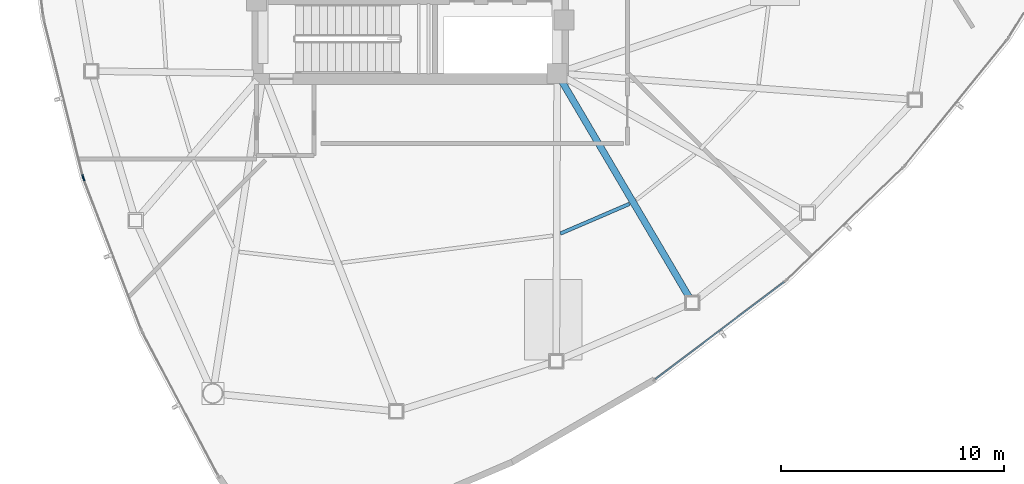
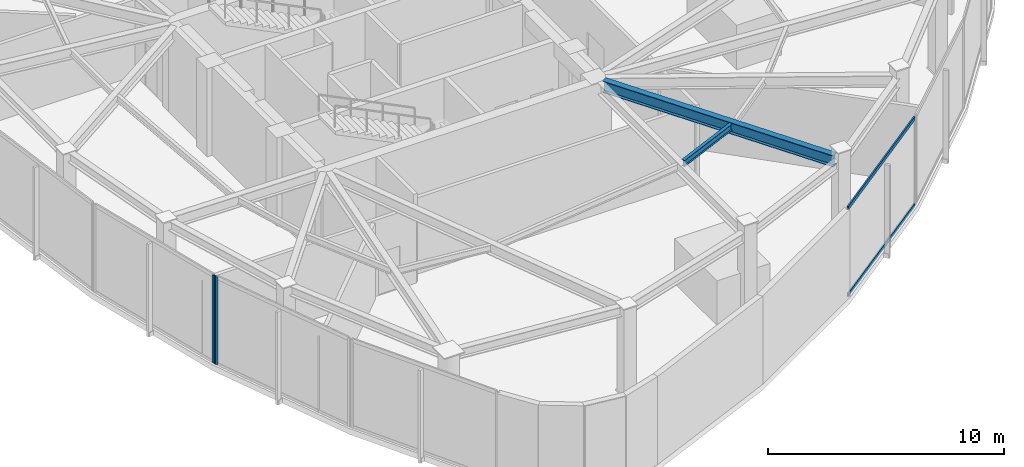
# One storey, part 3 of 17: 4 members, 2 beams, 3 elements without a shape of their own.
"""IFC4 building model written with IfcOpenShell, lengths in metres."""

from ifc_helpers import new_model, si_unit, direction, frame, origin, origin_2d, place, context, subcontext, project, spatial, hollow_rectangle, i_section, extrude, source, transform, mapped, material, layer, layer_set, material_profile, profile_set, type_object, type_shapes, element, aggregate, save


model = new_model("IFC4")

# Units and contexts
model_context = context("Model", 3, precision=1e-05, world=origin(), true_north=direction((0.0, 1.0)))
body_context = subcontext(model_context, "Body", "Model", "MODEL_VIEW")
ifc_project = project(units=[si_unit("LENGTHUNIT", "METRE"), si_unit("AREAUNIT", "SQUARE_METRE"), si_unit("VOLUMEUNIT", "CUBIC_METRE"), si_unit("PLANEANGLEUNIT", "RADIAN"), si_unit("MASSUNIT", "GRAM", prefix="KILO")], contexts=[model_context])

# Site, building, storey
site_placement = place(None, origin())
site = spatial("IfcSite", under=ifc_project, at=site_placement, CompositionType="ELEMENT")
building_placement = place(site_placement, origin())
building = spatial("IfcBuilding", under=site, at=building_placement, Name="Tavelor Broadcast Tower", CompositionType="ELEMENT")
storey_placement = place(building_placement, frame((0.0, 0.0, 204.14990234375)))
storey = spatial("IfcBuildingStorey", under=building, at=storey_placement, Name="L49", CompositionType="ELEMENT", Elevation=204.14990234375)

# Beams
ifc_material_1 = material(Name="Steel S355", Category="steel")
ifc_material_profile_1 = material_profile(ifc_material_1, i_section(OverallWidth=0.159912109375, OverallDepth=0.330078125, WebThickness=0.007568359375, FlangeThickness=0.011474609375, at=origin_2d()), Name="IPE 330")
ifc_profile_set_1 = profile_set([ifc_material_profile_1], Name="Steel S355")
beam_type_1 = type_object("IfcBeamType", Name="Composite Floor Joist T4 IPE 330", PredefinedType="JOIST", material=ifc_profile_set_1)
beam_1_placement = place(storey_placement, frame((56.744384765625, 31.603515625, 4.385009765625), z_axis=(0.918692008618, 0.394974674254, 0.0), x_axis=(-0.394974674254, 0.918692008618, 0.0)))
element("IfcBeam", 1, at=beam_1_placement, inside=storey, type_object=beam_type_1, Name="L49 Secondary Composite Floor Joist 09", PredefinedType="JOIST", context=body_context, shape_type="SweptSolid", body=[
    extrude(i_section(OverallWidth=0.159912109375, OverallDepth=0.330078125, WebThickness=0.007568359375, FlangeThickness=0.011474609375, at=origin_2d()), origin(), (0.0, 0.0, 1.0), 3.37744140625),
])
ifc_material_profile_2 = material_profile(ifc_material_1, i_section(OverallWidth=0.300048828125, OverallDepth=0.590087890625, WebThickness=0.012939453125, FlangeThickness=0.02490234375, at=origin_2d()), Name="HEA 600")
ifc_profile_set_2 = profile_set([ifc_material_profile_2], Name="Steel S355")
beam_type_2 = type_object("IfcBeamType", Name="Radial Floor Girder T4 HEA 600", PredefinedType="BEAM", material=ifc_profile_set_2)
beam_2_placement = place(storey_placement, frame((56.8193359375, 38.427734375, 4.255126953125), z_axis=(0.50778362975, -0.861484640233, 0.0), x_axis=(0.861484640233, 0.50778362975, 0.0)))
element("IfcBeam", 2, at=beam_2_placement, inside=storey, type_object=beam_type_2, Name="L49 Radial Primary Floor Girder 10", PredefinedType="BEAM", context=body_context, shape_type="SweptSolid", body=[
    extrude(i_section(OverallWidth=0.300048828125, OverallDepth=0.590087890625, WebThickness=0.012939453125, FlangeThickness=0.02490234375, at=origin_2d()), origin(), (0.0, 0.0, 1.0), 11.232421875),
])

# Curtain wall, member
ifc_material_2 = material(Name="Architectural Anodized Aluminium", Category="aluminium")
ifc_layer = layer(ifc_material_2, 0.18994140625)
ifc_layer_set = layer_set([ifc_layer], Name="Architectural Anodized Aluminium")
curtain_wall_type = type_object("IfcCurtainWallType", Name="Tower Mid-Zone Acoustic Curtain Wall CW03", PredefinedType="NOTDEFINED", material=ifc_layer_set)
curtain_wall_1_placement = place(storey_placement, origin())
curtain_wall_1 = element("IfcCurtainWall", 3, at=curtain_wall_1_placement, inside=storey, type_object=curtain_wall_type, Name="L49 Curtain Wall CW03 Run 530", PredefinedType="NOTDEFINED")
ifc_material_profile_3 = material_profile(ifc_material_2, hollow_rectangle(XDim=0.068115234375, YDim=0.18994140625, WallThickness=0.02197265625, at=origin_2d()), Name="RHS 68x190x22")
ifc_profile_set_3 = profile_set([ifc_material_profile_3], Name="Architectural Anodized Aluminium")
member_type_1 = type_object("IfcMemberType", Name="CW03 Extruded Aluminium Mullion 68x190", PredefinedType="MULLION", material=ifc_profile_set_3)
shared_shape_1 = source(origin(), body_context, "Body", "SweptSolid", [
    extrude(hollow_rectangle(XDim=0.068115234375, YDim=0.18994140625, WallThickness=0.02197265625, at=origin_2d()), origin(), (0.0, 0.0, 1.0), 4.550048828125),
])
type_shapes(member_type_1, [shared_shape_1])
member_1_placement = place(storey_placement, frame((35.30419921875, 34.1611328125, 0.0), z_axis=(0.0, 0.0, 1.0), x_axis=(0.970397862527, 0.241511880461, 0.0)))
member_1 = element("IfcMember", 4, at=member_1_placement, type_object=member_type_1, Name="CW03 mullion 2", PredefinedType="MULLION", context=body_context, shape_type="MappedRepresentation", body=[
    mapped(shared_shape_1, transform((0.0, 0.0, 0.0), scale=1.0)),
])
aggregate(curtain_wall_1, [member_1])

curtain_wall_2_placement = place(storey_placement, origin())
curtain_wall_2 = element("IfcCurtainWall", 5, at=curtain_wall_2_placement, inside=storey, type_object=curtain_wall_type, Name="L49 Curtain Wall CW03 Run 531", PredefinedType="NOTDEFINED")
member_2_placement = place(storey_placement, frame((35.333740234375, 34.06787109375, 0.0), z_axis=(0.0, 0.0, 1.0), x_axis=(0.934042497747, 0.357161885429, 0.0)))
member_2 = element("IfcMember", 6, at=member_2_placement, type_object=member_type_1, Name="CW03 mullion 1", PredefinedType="MULLION", context=body_context, shape_type="MappedRepresentation", body=[
    mapped(shared_shape_1, transform((0.0, 0.0, 0.0), scale=1.0)),
])
aggregate(curtain_wall_2, [member_2])

# Curtain wall, members
curtain_wall_3_placement = place(storey_placement, origin())
curtain_wall_3 = element("IfcCurtainWall", 7, at=curtain_wall_3_placement, inside=storey, type_object=curtain_wall_type, Name="L49 Curtain Wall CW03 Run 533", PredefinedType="NOTDEFINED")
ifc_material_profile_4 = material_profile(ifc_material_2, hollow_rectangle(XDim=0.068115234375, YDim=0.18994140625, WallThickness=0.02197265625, at=origin_2d()), Name="RHS 68x190x22")
ifc_profile_set_4 = profile_set([ifc_material_profile_4], Name="Architectural Anodized Aluminium")
member_type_2 = type_object("IfcMemberType", Name="CW03 Extruded Aluminium Transom 68x190", PredefinedType="USERDEFINED", material=ifc_profile_set_4)
shared_shape_2 = source(origin(), body_context, "Body", "SweptSolid", [
    extrude(hollow_rectangle(XDim=0.068115234375, YDim=0.18994140625, WallThickness=0.02197265625, at=origin_2d()), origin(), (0.0, 0.0, 1.0), 7.23486328125),
])
type_shapes(member_type_2, [shared_shape_2])
member_3_placement = place(storey_placement, frame((61.012451171875, 25.07421875, 0.0341796875), z_axis=(0.798381371722, 0.602152128027, 0.0), x_axis=(-0.602152128027, 0.798381371722, 0.0)))
member_3 = element("IfcMember", 8, at=member_3_placement, type_object=member_type_2, Name="CW03 transom 1.1", ObjectType="TRANSOM", PredefinedType="USERDEFINED", context=body_context, shape_type="MappedRepresentation", body=[
    mapped(shared_shape_2, transform((0.0, 0.0, 0.0), scale=1.0)),
])
member_4_placement = place(storey_placement, frame((61.012451171875, 25.07421875, 4.51611328125), z_axis=(0.798381371722, 0.602152128027, 0.0), x_axis=(-0.602152128027, 0.798381371722, 0.0)))
member_4 = element("IfcMember", 9, at=member_4_placement, type_object=member_type_2, Name="CW03 transom 1.2", ObjectType="TRANSOM", PredefinedType="USERDEFINED", context=body_context, shape_type="MappedRepresentation", body=[
    mapped(shared_shape_2, transform((0.0, 0.0, 0.0), scale=1.0)),
])
aggregate(curtain_wall_3, [member_3, member_4])

save(model, "model.ifc")
